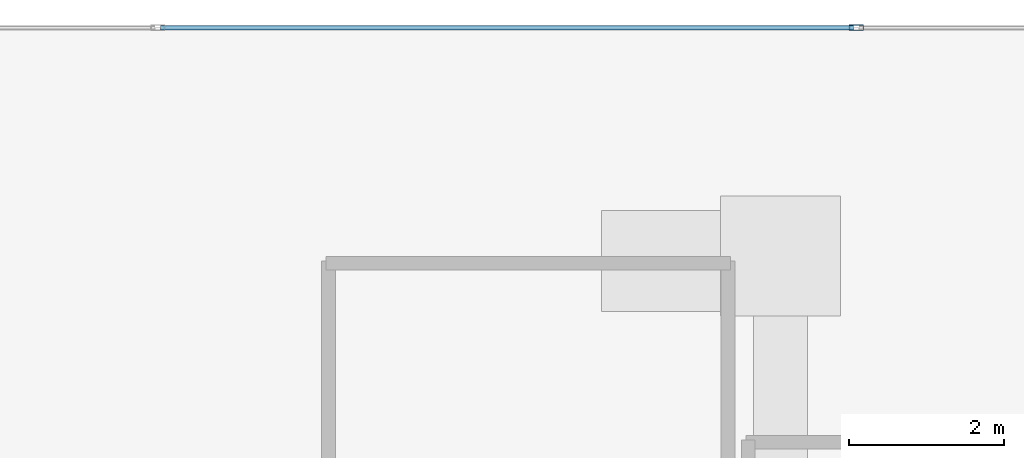
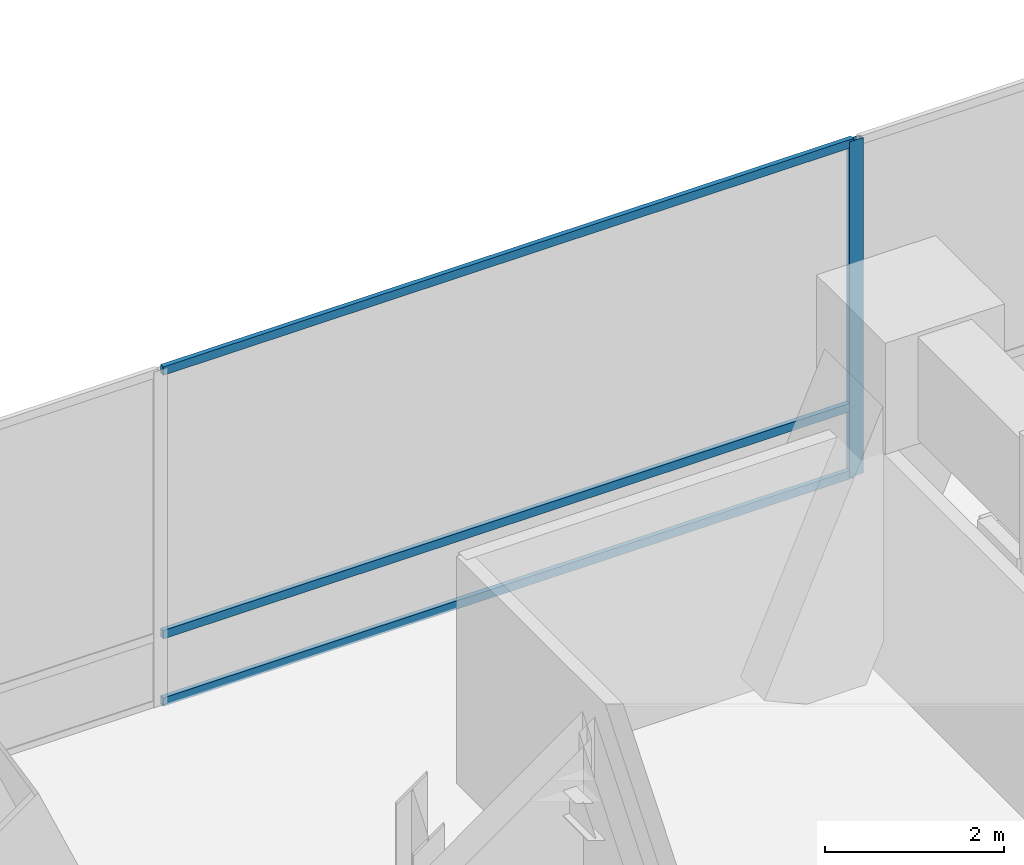
# One storey, part 20 of 45: 4 members, 1 element without a shape of its own.
"""IFC4 building model written with IfcOpenShell, lengths in metres."""

from ifc_helpers import new_model, si_unit, direction, frame, origin, origin_2d, place, context, subcontext, project, spatial, hollow_rectangle, extrude, material, layer, layer_set, material_profile, profile_set, type_object, element, aggregate, save


model = new_model("IFC4")

# Units and contexts
model_context = context("Model", 3, precision=1e-05, world=origin(), true_north=direction((0.0, 1.0)))
body_context = subcontext(model_context, "Body", "Model", "MODEL_VIEW")
ifc_project = project(units=[si_unit("LENGTHUNIT", "METRE"), si_unit("AREAUNIT", "SQUARE_METRE"), si_unit("VOLUMEUNIT", "CUBIC_METRE"), si_unit("PLANEANGLEUNIT", "RADIAN"), si_unit("MASSUNIT", "GRAM", prefix="KILO")], contexts=[model_context])

# Site, building, storey
site_placement = place(None, origin())
site = spatial("IfcSite", under=ifc_project, at=site_placement, CompositionType="ELEMENT")
building_placement = place(site_placement, origin())
building = spatial("IfcBuilding", under=site, at=building_placement, Name="Qianvela Tower", CompositionType="ELEMENT")
storey_placement = place(building_placement, frame((0.0, 0.0, 11.0)))
storey = spatial("IfcBuildingStorey", under=building, at=storey_placement, Name="L02", CompositionType="ELEMENT", Elevation=11.0)

# Curtain wall, members
ifc_material_1 = material(Name="Anodised Architectural Aluminium and Low-E Glass", Category="aluminium")
ifc_layer = layer(ifc_material_1, 0.179931640625)
ifc_layer_set = layer_set([ifc_layer], Name="Anodised Architectural Aluminium and Low-E Glass")
curtain_wall_type = type_object("IfcCurtainWallType", Name="CW-COMMONS", PredefinedType="USERDEFINED", material=ifc_layer_set)
curtain_wall_placement = place(storey_placement, origin())
curtain_wall = element("IfcCurtainWall", 1, at=curtain_wall_placement, inside=storey, type_object=curtain_wall_type, Name="L02 CW-COMMONS Curtain Wall 05", ObjectType="CURTAIN_WALL_SYSTEM", PredefinedType="USERDEFINED")
ifc_material_2 = material(Name="Anodised Architectural Aluminium 6063-T6", Category="aluminium")
ifc_material_profile_1 = material_profile(ifc_material_2, hollow_rectangle(XDim=0.070068359375, YDim=0.179931640625, WallThickness=0.0048828125, at=origin_2d()), Name="ALU-MULL-70x180")
ifc_profile_set_1 = profile_set([ifc_material_profile_1], Name="Anodised Architectural Aluminium 6063-T6")
member_type_1 = type_object("IfcMemberType", Name="CW-COMMONS-MULL", PredefinedType="MULLION", material=ifc_profile_set_1)
member_1_placement = place(storey_placement, frame((24.021484375, 50.5, 0.0), z_axis=(0.0, 0.0, 1.0), x_axis=(0.0, -1.0, 0.0)))
member_1 = element("IfcMember", 2, at=member_1_placement, type_object=member_type_1, Name="CW-2 mullion 6", PredefinedType="MULLION", context=body_context, shape_type="SweptSolid", body=[
    extrude(hollow_rectangle(XDim=0.070068359375, YDim=0.179931640625, WallThickness=0.0048828125, at=origin_2d()), origin(), (0.0, 0.0, 1.0), 4.580078125),
])
ifc_material_3 = material(Name="Anodised Architectural Aluminium 6063-T6", Category="aluminium")
ifc_material_profile_2 = material_profile(ifc_material_3, hollow_rectangle(XDim=0.06005859375, YDim=0.114990234375, WallThickness=0.00390625, at=origin_2d()), Name="ALU-TRAN-60x115")
ifc_profile_set_2 = profile_set([ifc_material_profile_2], Name="Anodised Architectural Aluminium 6063-T6")
member_type_2 = type_object("IfcMemberType", Name="CW-COMMONS-TRAN", PredefinedType="USERDEFINED", material=ifc_profile_set_2)
member_2_placement = place(storey_placement, frame((23.986328125, 50.5, 0.030029296875), z_axis=(-1.0, 0.0, 0.0), x_axis=(0.0, -1.0, 0.0)))
member_2 = element("IfcMember", 3, at=member_2_placement, type_object=member_type_2, Name="CW-2 transom 6.1", ObjectType="TRANSOM", PredefinedType="USERDEFINED", context=body_context, shape_type="SweptSolid", body=[
    extrude(hollow_rectangle(XDim=0.06005859375, YDim=0.114990234375, WallThickness=0.00390625, at=origin_2d()), origin(), (0.0, 0.0, 1.0), 8.91552734375),
])
member_3_placement = place(storey_placement, frame((23.986328125, 50.5, 0.949951171875), z_axis=(-1.0, 0.0, 0.0), x_axis=(0.0, -1.0, 0.0)))
member_3 = element("IfcMember", 4, at=member_3_placement, type_object=member_type_2, Name="CW-2 transom 6.2", ObjectType="TRANSOM", PredefinedType="USERDEFINED", context=body_context, shape_type="SweptSolid", body=[
    extrude(hollow_rectangle(XDim=0.06005859375, YDim=0.114990234375, WallThickness=0.00390625, at=origin_2d()), origin(), (0.0, 0.0, 1.0), 8.91552734375),
])
member_4_placement = place(storey_placement, frame((23.986328125, 50.5, 4.550048828125), z_axis=(-1.0, 0.0, 0.0), x_axis=(0.0, -1.0, 0.0)))
member_4 = element("IfcMember", 5, at=member_4_placement, type_object=member_type_2, Name="CW-2 transom 6.3", ObjectType="TRANSOM", PredefinedType="USERDEFINED", context=body_context, shape_type="SweptSolid", body=[
    extrude(hollow_rectangle(XDim=0.06005859375, YDim=0.114990234375, WallThickness=0.00390625, at=origin_2d()), origin(), (0.0, 0.0, 1.0), 8.91552734375),
])
aggregate(curtain_wall, [member_1, member_2, member_3, member_4])

save(model, "model.ifc")
